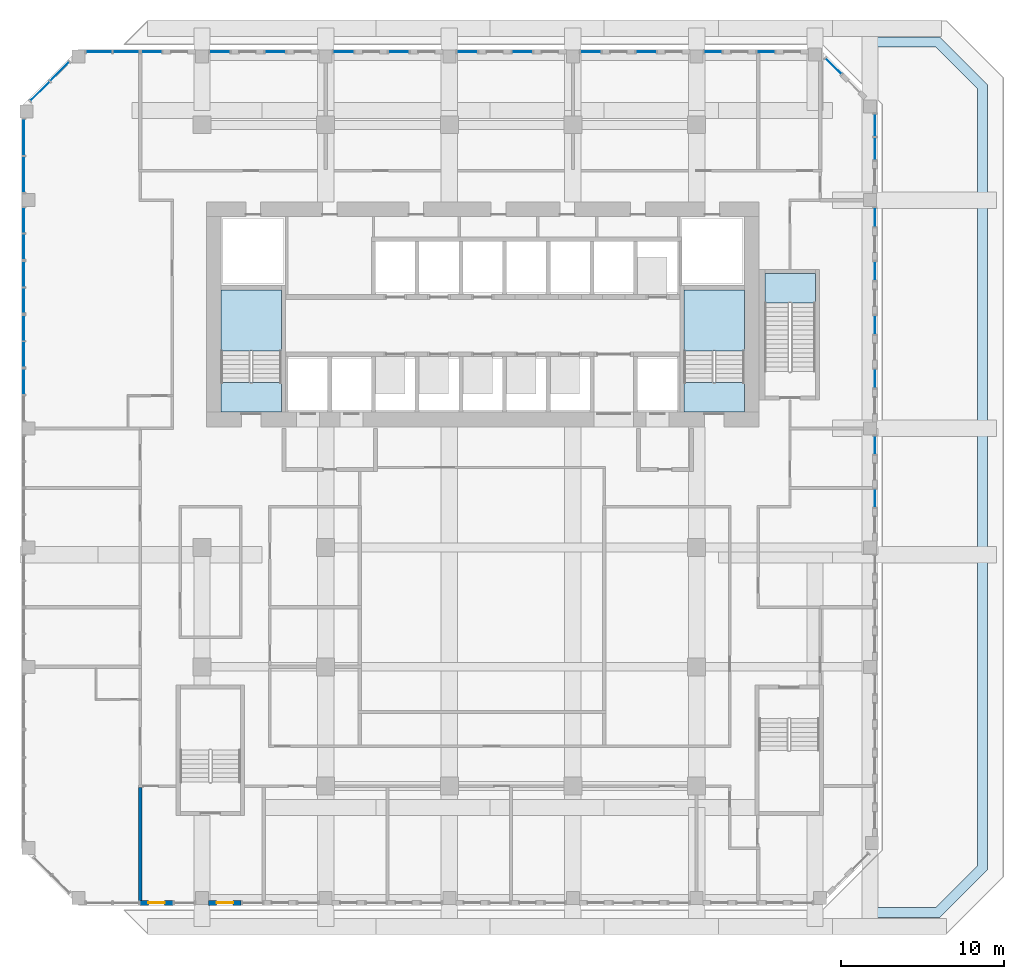
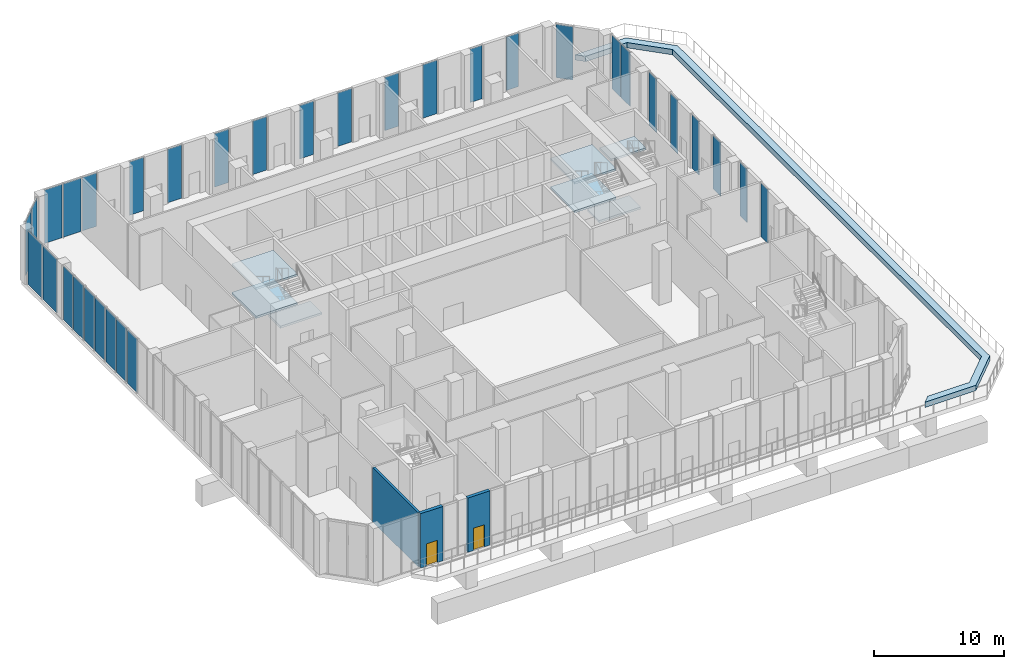
# One storey, part 8 of 19: 33 plates, 8 slabs, 3 walls, 2 doors, 2 openings, 29 elements without a shape of their own.
"""IFC4 building model written with IfcOpenShell, lengths in metres."""

from ifc_helpers import new_model, si_unit, direction, frame, frame_2d, origin, origin_2d, place, context, subcontext, project, spatial, polyline, rectangle, outline, extrude, source, transform, mapped, material, layer, layer_set, type_object, element, fill, aggregate, save


model = new_model("IFC4")

# Units and contexts
model_context = context("Model", 3, precision=1e-05, world=origin(), true_north=direction((0.0, 1.0)))
body_context = subcontext(model_context, "Body", "Model", "MODEL_VIEW")
ifc_project = project(units=[si_unit("LENGTHUNIT", "METRE"), si_unit("AREAUNIT", "SQUARE_METRE"), si_unit("VOLUMEUNIT", "CUBIC_METRE"), si_unit("PLANEANGLEUNIT", "RADIAN"), si_unit("MASSUNIT", "GRAM", prefix="KILO")], contexts=[model_context])

# Site, building, storey
site_placement = place(None, origin())
site = spatial("IfcSite", under=ifc_project, at=site_placement, CompositionType="ELEMENT")
building_placement = place(site_placement, origin())
building = spatial("IfcBuilding", under=site, at=building_placement, Name="Kilnfold Tower and Market Hall", CompositionType="ELEMENT")
storey_placement = place(building_placement, frame((0.0, 0.0, 138.5)))
storey = spatial("IfcBuildingStorey", under=building, at=storey_placement, Name="L31", CompositionType="ELEMENT", Elevation=138.5)

# Curtain wall, plate
ifc_material_1 = material(Name="Aluminium and double glazing", Category="aluminium")
curtain_wall_type = type_object("IfcCurtainWallType", Name="CW SKY LOBBY GLAZING", PredefinedType="NOTDEFINED", material=ifc_material_1)
curtain_wall_1_placement = place(storey_placement, origin())
curtain_wall_1 = element("IfcCurtainWall", 1, at=curtain_wall_1_placement, inside=storey, type_object=curtain_wall_type, Name="Curtain wall CW3 L31 N", PredefinedType="NOTDEFINED")
ifc_material_2 = material(Name="Double glazed unit")
ifc_layer_1 = layer(ifc_material_2, 0.035888671875)
ifc_layer_set_1 = layer_set([ifc_layer_1], Name="Double glazed unit")
plate_type = type_object("IfcPlateType", Name="GLAZING PANEL 36", PredefinedType="CURTAIN_PANEL", material=ifc_layer_set_1)
shared_shape_1 = source(origin(), body_context, "Body", "SweptSolid", [
    extrude(rectangle(XDim=1.231689453125, YDim=0.035888671875, at=origin_2d()), origin(), (0.0, 0.0, 1.0), 5.0400390625),
])
plate_1_placement = place(storey_placement, frame((11.07080078125, 31.10009765625, 0.0), z_axis=(0.0, 0.0, 1.0), x_axis=(-1.0, 0.0, 0.0)))
plate_1 = element("IfcPlate", 2, at=plate_1_placement, type_object=plate_type, Name="CW3 panel 1.1", PredefinedType="CURTAIN_PANEL", context=body_context, shape_type="MappedRepresentation", body=[
    mapped(shared_shape_1, transform((0.0, 0.0, 0.0))),
])
aggregate(curtain_wall_1, [plate_1])

curtain_wall_2_placement = place(storey_placement, origin())
curtain_wall_2 = element("IfcCurtainWall", 3, at=curtain_wall_2_placement, inside=storey, type_object=curtain_wall_type, Name="Curtain wall CW3 L31 N", PredefinedType="NOTDEFINED")
plate_2_placement = place(storey_placement, frame((7.67919921875, 31.10009765625, 0.0), z_axis=(0.0, 0.0, 1.0), x_axis=(-1.0, 0.0, 0.0)))
plate_2 = element("IfcPlate", 4, at=plate_2_placement, type_object=plate_type, Name="CW3 panel 1.1", PredefinedType="CURTAIN_PANEL", context=body_context, shape_type="MappedRepresentation", body=[
    mapped(shared_shape_1, transform((0.0, 0.0, 0.0))),
])
aggregate(curtain_wall_2, [plate_2])

curtain_wall_3_placement = place(storey_placement, origin())
curtain_wall_3 = element("IfcCurtainWall", 5, at=curtain_wall_3_placement, inside=storey, type_object=curtain_wall_type, Name="Curtain wall CW3 L31 N", PredefinedType="NOTDEFINED")
plate_3_placement = place(storey_placement, frame((3.487548828125, 31.10009765625, 0.0), z_axis=(0.0, 0.0, 1.0), x_axis=(-1.0, 0.0, 0.0)))
plate_3 = element("IfcPlate", 6, at=plate_3_placement, type_object=plate_type, Name="CW3 panel 1.1", PredefinedType="CURTAIN_PANEL", context=body_context, shape_type="MappedRepresentation", body=[
    mapped(shared_shape_1, transform((0.0, 0.0, 0.0))),
])
aggregate(curtain_wall_3, [plate_3])

curtain_wall_4_placement = place(storey_placement, origin())
curtain_wall_4 = element("IfcCurtainWall", 7, at=curtain_wall_4_placement, inside=storey, type_object=curtain_wall_type, Name="Curtain wall CW3 L31 N", PredefinedType="NOTDEFINED")
plate_4_placement = place(storey_placement, frame((0.095703125, 31.10009765625, 0.0), z_axis=(0.0, 0.0, 1.0), x_axis=(-1.0, 0.0, 0.0)))
plate_4 = element("IfcPlate", 8, at=plate_4_placement, type_object=plate_type, Name="CW3 panel 1.1", PredefinedType="CURTAIN_PANEL", context=body_context, shape_type="MappedRepresentation", body=[
    mapped(shared_shape_1, transform((0.0, 0.0, 0.0))),
])
aggregate(curtain_wall_4, [plate_4])

curtain_wall_5_placement = place(storey_placement, origin())
curtain_wall_5 = element("IfcCurtainWall", 9, at=curtain_wall_5_placement, inside=storey, type_object=curtain_wall_type, Name="Curtain wall CW3 L31 N", PredefinedType="NOTDEFINED")
plate_5_placement = place(storey_placement, frame((-4.095703125, 31.10009765625, 0.0), z_axis=(0.0, 0.0, 1.0), x_axis=(-1.0, 0.0, 0.0)))
plate_5 = element("IfcPlate", 10, at=plate_5_placement, type_object=plate_type, Name="CW3 panel 1.1", PredefinedType="CURTAIN_PANEL", context=body_context, shape_type="MappedRepresentation", body=[
    mapped(shared_shape_1, transform((0.0, 0.0, 0.0))),
])
aggregate(curtain_wall_5, [plate_5])

curtain_wall_6_placement = place(storey_placement, origin())
curtain_wall_6 = element("IfcCurtainWall", 11, at=curtain_wall_6_placement, inside=storey, type_object=curtain_wall_type, Name="Curtain wall CW3 L31 N", PredefinedType="NOTDEFINED")
plate_6_placement = place(storey_placement, frame((-7.487548828125, 31.10009765625, 0.0), z_axis=(0.0, 0.0, 1.0), x_axis=(-1.0, 0.0, 0.0)))
plate_6 = element("IfcPlate", 12, at=plate_6_placement, type_object=plate_type, Name="CW3 panel 1.1", PredefinedType="CURTAIN_PANEL", context=body_context, shape_type="MappedRepresentation", body=[
    mapped(shared_shape_1, transform((0.0, 0.0, 0.0))),
])
aggregate(curtain_wall_6, [plate_6])

curtain_wall_7_placement = place(storey_placement, origin())
curtain_wall_7 = element("IfcCurtainWall", 13, at=curtain_wall_7_placement, inside=storey, type_object=curtain_wall_type, Name="Curtain wall CW3 L31 N", PredefinedType="NOTDEFINED")
plate_7_placement = place(storey_placement, frame((-11.67919921875, 31.10009765625, 0.0), z_axis=(0.0, 0.0, 1.0), x_axis=(-1.0, 0.0, 0.0)))
plate_7 = element("IfcPlate", 14, at=plate_7_placement, type_object=plate_type, Name="CW3 panel 1.1", PredefinedType="CURTAIN_PANEL", context=body_context, shape_type="MappedRepresentation", body=[
    mapped(shared_shape_1, transform((0.0, 0.0, 0.0))),
])
aggregate(curtain_wall_7, [plate_7])

curtain_wall_8_placement = place(storey_placement, origin())
curtain_wall_8 = element("IfcCurtainWall", 15, at=curtain_wall_8_placement, inside=storey, type_object=curtain_wall_type, Name="Curtain wall CW3 L31 N", PredefinedType="NOTDEFINED")
plate_8_placement = place(storey_placement, frame((-15.07080078125, 31.10009765625, 0.0), z_axis=(0.0, 0.0, 1.0), x_axis=(-1.0, 0.0, 0.0)))
plate_8 = element("IfcPlate", 16, at=plate_8_placement, type_object=plate_type, Name="CW3 panel 1.1", PredefinedType="CURTAIN_PANEL", context=body_context, shape_type="MappedRepresentation", body=[
    mapped(shared_shape_1, transform((0.0, 0.0, 0.0))),
])
aggregate(curtain_wall_8, [plate_8])

curtain_wall_9_placement = place(storey_placement, origin())
curtain_wall_9 = element("IfcCurtainWall", 17, at=curtain_wall_9_placement, inside=storey, type_object=curtain_wall_type, Name="Curtain wall CW3 L31 N", PredefinedType="NOTDEFINED")
plate_9_placement = place(storey_placement, frame((-19.262451171875, 31.10009765625, 0.0), z_axis=(0.0, 0.0, 1.0), x_axis=(-1.0, 0.0, 0.0)))
plate_9 = element("IfcPlate", 18, at=plate_9_placement, type_object=plate_type, Name="CW3 panel 1.1", PredefinedType="CURTAIN_PANEL", context=body_context, shape_type="MappedRepresentation", body=[
    mapped(shared_shape_1, transform((0.0, 0.0, 0.0))),
])
aggregate(curtain_wall_9, [plate_9])

curtain_wall_10_placement = place(storey_placement, origin())
curtain_wall_10 = element("IfcCurtainWall", 19, at=curtain_wall_10_placement, inside=storey, type_object=curtain_wall_type, Name="Curtain wall CW3 L31 NE", PredefinedType="NOTDEFINED")
shared_shape_2 = source(origin(), body_context, "Body", "SweptSolid", [
    extrude(rectangle(XDim=1.340087890625, YDim=0.035888671875, at=origin_2d()), origin(), (0.0, 0.0, 1.0), 5.0400390625),
])
plate_10_placement = place(storey_placement, frame((22.57421875, 30.213623046875, 0.0), z_axis=(0.0, 0.0, 1.0), x_axis=(-0.707106781187, 0.707106781187, 0.0)))
plate_10 = element("IfcPlate", 20, at=plate_10_placement, type_object=plate_type, Name="CW3 panel 1.1", PredefinedType="CURTAIN_PANEL", context=body_context, shape_type="MappedRepresentation", body=[
    mapped(shared_shape_2, transform((0.0, 0.0, 0.0))),
])
aggregate(curtain_wall_10, [plate_10])

curtain_wall_11_placement = place(storey_placement, origin())
curtain_wall_11 = element("IfcCurtainWall", 21, at=curtain_wall_11_placement, inside=storey, type_object=curtain_wall_type, Name="Curtain wall CW3 L31 E", PredefinedType="NOTDEFINED")
shared_shape_3 = source(origin(), body_context, "Body", "SweptSolid", [
    extrude(rectangle(XDim=1.09619140625, YDim=0.035888671875, at=origin_2d()), origin(), (0.0, 0.0, 1.0), 5.0400390625),
])
plate_11_placement = place(storey_placement, frame((25.10009765625, 3.715576171875, 0.0), z_axis=(0.0, 0.0, 1.0), x_axis=(0.0, 1.0, 0.0)))
plate_11 = element("IfcPlate", 22, at=plate_11_placement, type_object=plate_type, Name="CW3 panel 1.1", PredefinedType="CURTAIN_PANEL", context=body_context, shape_type="MappedRepresentation", body=[
    mapped(shared_shape_3, transform((0.0, 0.0, 0.0))),
])
aggregate(curtain_wall_11, [plate_11])

curtain_wall_12_placement = place(storey_placement, origin())
curtain_wall_12 = element("IfcCurtainWall", 23, at=curtain_wall_12_placement, inside=storey, type_object=curtain_wall_type, Name="Curtain wall CW3 L31 E", PredefinedType="NOTDEFINED")
plate_12_placement = place(storey_placement, frame((25.10009765625, 6.971923828125, 0.0), z_axis=(0.0, 0.0, 1.0), x_axis=(0.0, 1.0, 0.0)))
plate_12 = element("IfcPlate", 24, at=plate_12_placement, type_object=plate_type, Name="CW3 panel 1.1", PredefinedType="CURTAIN_PANEL", context=body_context, shape_type="MappedRepresentation", body=[
    mapped(shared_shape_3, transform((0.0, 0.0, 0.0))),
])
aggregate(curtain_wall_12, [plate_12])

curtain_wall_13_placement = place(storey_placement, origin())
curtain_wall_13 = element("IfcCurtainWall", 25, at=curtain_wall_13_placement, inside=storey, type_object=curtain_wall_type, Name="Curtain wall CW3 L31 E", PredefinedType="NOTDEFINED")
shared_shape_4 = source(origin(), body_context, "Body", "SweptSolid", [
    extrude(rectangle(XDim=1.139892578125, YDim=0.035888671875, at=origin_2d()), origin(), (0.0, 0.0, 1.0), 5.0400390625),
])
plate_13_placement = place(storey_placement, frame((25.10009765625, 11.050048828125, 0.0), z_axis=(0.0, 0.0, 1.0), x_axis=(0.0, 1.0, 0.0)))
plate_13 = element("IfcPlate", 26, at=plate_13_placement, type_object=plate_type, Name="CW3 panel 1.1", PredefinedType="CURTAIN_PANEL", context=body_context, shape_type="MappedRepresentation", body=[
    mapped(shared_shape_4, transform((0.0, 0.0, 0.0))),
])
aggregate(curtain_wall_13, [plate_13])

curtain_wall_14_placement = place(storey_placement, origin())
curtain_wall_14 = element("IfcCurtainWall", 27, at=curtain_wall_14_placement, inside=storey, type_object=curtain_wall_type, Name="Curtain wall CW3 L31 E", PredefinedType="NOTDEFINED")
plate_14_placement = place(storey_placement, frame((25.10009765625, 14.35009765625, 0.0), z_axis=(0.0, 0.0, 1.0), x_axis=(0.0, 1.0, 0.0)))
plate_14 = element("IfcPlate", 28, at=plate_14_placement, type_object=plate_type, Name="CW3 panel 1.1", PredefinedType="CURTAIN_PANEL", context=body_context, shape_type="MappedRepresentation", body=[
    mapped(shared_shape_4, transform((0.0, 0.0, 0.0))),
])
aggregate(curtain_wall_14, [plate_14])

curtain_wall_15_placement = place(storey_placement, origin())
curtain_wall_15 = element("IfcCurtainWall", 29, at=curtain_wall_15_placement, inside=storey, type_object=curtain_wall_type, Name="Curtain wall CW3 L31 E", PredefinedType="NOTDEFINED")
plate_15_placement = place(storey_placement, frame((25.10009765625, 17.64990234375, 0.0), z_axis=(0.0, 0.0, 1.0), x_axis=(0.0, 1.0, 0.0)))
plate_15 = element("IfcPlate", 30, at=plate_15_placement, type_object=plate_type, Name="CW3 panel 1.1", PredefinedType="CURTAIN_PANEL", context=body_context, shape_type="MappedRepresentation", body=[
    mapped(shared_shape_4, transform((0.0, 0.0, 0.0))),
])
aggregate(curtain_wall_15, [plate_15])

curtain_wall_16_placement = place(storey_placement, origin())
curtain_wall_16 = element("IfcCurtainWall", 31, at=curtain_wall_16_placement, inside=storey, type_object=curtain_wall_type, Name="Curtain wall CW3 L31 E", PredefinedType="NOTDEFINED")
plate_16_placement = place(storey_placement, frame((25.10009765625, 20.949951171875, 0.0), z_axis=(0.0, 0.0, 1.0), x_axis=(0.0, 1.0, 0.0)))
plate_16 = element("IfcPlate", 32, at=plate_16_placement, type_object=plate_type, Name="CW3 panel 1.1", PredefinedType="CURTAIN_PANEL", context=body_context, shape_type="MappedRepresentation", body=[
    mapped(shared_shape_4, transform((0.0, 0.0, 0.0))),
])
aggregate(curtain_wall_16, [plate_16])

# Curtain wall, plates
curtain_wall_17_placement = place(storey_placement, origin())
curtain_wall_17 = element("IfcCurtainWall", 33, at=curtain_wall_17_placement, inside=storey, type_object=curtain_wall_type, Name="Curtain wall CW3 L31 E", PredefinedType="NOTDEFINED")
shared_shape_5 = source(origin(), body_context, "Body", "SweptSolid", [
    extrude(rectangle(XDim=1.35498046875, YDim=0.035888671875, at=origin_2d()), origin(), (0.0, 0.0, 1.0), 5.0400390625),
])
plate_17_placement = place(storey_placement, frame((25.10009765625, 25.157470703125, 0.0), z_axis=(0.0, 0.0, 1.0), x_axis=(0.0, 1.0, 0.0)))
plate_17 = element("IfcPlate", 34, at=plate_17_placement, type_object=plate_type, Name="CW3 panel 1.1", PredefinedType="CURTAIN_PANEL", context=body_context, shape_type="MappedRepresentation", body=[
    mapped(shared_shape_5, transform((0.0, 0.0, 0.0))),
])
plate_18_placement = place(storey_placement, frame((25.10009765625, 26.592529296875, 0.0), z_axis=(0.0, 0.0, 1.0), x_axis=(0.0, 1.0, 0.0)))
plate_18 = element("IfcPlate", 35, at=plate_18_placement, type_object=plate_type, Name="CW3 panel 2.1", PredefinedType="CURTAIN_PANEL", context=body_context, shape_type="MappedRepresentation", body=[
    mapped(shared_shape_5, transform((0.0, 0.0, 0.0))),
])
aggregate(curtain_wall_17, [plate_17, plate_18])

# Curtain wall, plate
curtain_wall_18_placement = place(storey_placement, origin())
curtain_wall_18 = element("IfcCurtainWall", 36, at=curtain_wall_18_placement, inside=storey, type_object=curtain_wall_type, Name="Curtain wall CW3 L31 N", PredefinedType="NOTDEFINED")
shared_shape_6 = source(origin(), body_context, "Body", "SweptSolid", [
    extrude(rectangle(XDim=1.072509765625, YDim=0.035888671875, at=origin_2d()), origin(), (0.0, 0.0, 1.0), 5.0400390625),
])
plate_19_placement = place(storey_placement, frame((18.41552734375, 31.10009765625, 0.0), z_axis=(0.0, 0.0, 1.0), x_axis=(-1.0, 0.0, 0.0)))
plate_19 = element("IfcPlate", 37, at=plate_19_placement, type_object=plate_type, Name="CW3 panel 1.1", PredefinedType="CURTAIN_PANEL", context=body_context, shape_type="MappedRepresentation", body=[
    mapped(shared_shape_6, transform((0.0, 0.0, 0.0))),
])
aggregate(curtain_wall_18, [plate_19])

curtain_wall_19_placement = place(storey_placement, origin())
curtain_wall_19 = element("IfcCurtainWall", 38, at=curtain_wall_19_placement, inside=storey, type_object=curtain_wall_type, Name="Curtain wall CW3 L31 N", PredefinedType="NOTDEFINED")
plate_20_placement = place(storey_placement, frame((15.18310546875, 31.10009765625, 0.0), z_axis=(0.0, 0.0, 1.0), x_axis=(-1.0, 0.0, 0.0)))
plate_20 = element("IfcPlate", 39, at=plate_20_placement, type_object=plate_type, Name="CW3 panel 1.1", PredefinedType="CURTAIN_PANEL", context=body_context, shape_type="MappedRepresentation", body=[
    mapped(shared_shape_6, transform((0.0, 0.0, 0.0))),
])
aggregate(curtain_wall_19, [plate_20])

# Curtain wall, plates
curtain_wall_20_placement = place(storey_placement, origin())
curtain_wall_20 = element("IfcCurtainWall", 40, at=curtain_wall_20_placement, inside=storey, type_object=curtain_wall_type, Name="Curtain wall CW3 L31 N", PredefinedType="NOTDEFINED")
shared_shape_7 = source(origin(), body_context, "Body", "SweptSolid", [
    extrude(rectangle(XDim=1.575927734375, YDim=0.035888671875, at=origin_2d()), origin(), (0.0, 0.0, 1.0), 5.0400390625),
])
plate_21_placement = place(storey_placement, frame((-20.826171875, 31.10009765625, 0.0), z_axis=(0.0, 0.0, 1.0), x_axis=(-1.0, 0.0, 0.0)))
plate_21 = element("IfcPlate", 41, at=plate_21_placement, type_object=plate_type, Name="CW3 panel 1.1", PredefinedType="CURTAIN_PANEL", context=body_context, shape_type="MappedRepresentation", body=[
    mapped(shared_shape_7, transform((0.0, 0.0, 0.0))),
])
plate_22_placement = place(storey_placement, frame((-22.482177734375, 31.10009765625, 0.0), z_axis=(0.0, 0.0, 1.0), x_axis=(-1.0, 0.0, 0.0)))
plate_22 = element("IfcPlate", 42, at=plate_22_placement, type_object=plate_type, Name="CW3 panel 2.1", PredefinedType="CURTAIN_PANEL", context=body_context, shape_type="MappedRepresentation", body=[
    mapped(shared_shape_7, transform((0.0, 0.0, 0.0))),
])
aggregate(curtain_wall_20, [plate_21, plate_22])

curtain_wall_21_placement = place(storey_placement, origin())
curtain_wall_21 = element("IfcCurtainWall", 43, at=curtain_wall_21_placement, inside=storey, type_object=curtain_wall_type, Name="Curtain wall CW3 L31 NW", PredefinedType="NOTDEFINED")
shared_shape_8 = source(origin(), body_context, "Body", "SweptSolid", [
    extrude(rectangle(XDim=1.630126953125, YDim=0.035888671875, at=origin_2d()), origin(), (0.0, 0.0, 1.0), 5.0400390625),
])
plate_23_placement = place(storey_placement, frame((-24.90185546875, 29.885986328125, 0.0), z_axis=(0.0, 0.0, 1.0), x_axis=(-0.707121065738, -0.707092496347, 0.0)))
plate_23 = element("IfcPlate", 44, at=plate_23_placement, type_object=plate_type, Name="CW3 panel 1.1", PredefinedType="CURTAIN_PANEL", context=body_context, shape_type="MappedRepresentation", body=[
    mapped(shared_shape_8, transform((0.0, 0.0, 0.0))),
])
plate_24_placement = place(storey_placement, frame((-26.111083984375, 28.6767578125, 0.0), z_axis=(0.0, 0.0, 1.0), x_axis=(-0.707121065738, -0.707092496347, 0.0)))
plate_24 = element("IfcPlate", 45, at=plate_24_placement, type_object=plate_type, Name="CW3 panel 2.1", PredefinedType="CURTAIN_PANEL", context=body_context, shape_type="MappedRepresentation", body=[
    mapped(shared_shape_8, transform((0.0, 0.0, 0.0))),
])
aggregate(curtain_wall_21, [plate_23, plate_24])

curtain_wall_22_placement = place(storey_placement, origin())
curtain_wall_22 = element("IfcCurtainWall", 46, at=curtain_wall_22_placement, inside=storey, type_object=curtain_wall_type, Name="Curtain wall CW3 L31 W", PredefinedType="NOTDEFINED")
shared_shape_9 = source(origin(), body_context, "Body", "SweptSolid", [
    extrude(rectangle(XDim=2.19580078125, YDim=0.035888671875, at=origin_2d()), origin(), (0.0, 0.0, 1.0), 5.0400390625),
])
plate_25_placement = place(storey_placement, frame((-27.10009765625, 25.853759765625, 0.0), z_axis=(0.0, 0.0, 1.0), x_axis=(0.0, -1.0, 0.0)))
plate_25 = element("IfcPlate", 47, at=plate_25_placement, type_object=plate_type, Name="CW3 panel 1.1", PredefinedType="CURTAIN_PANEL", context=body_context, shape_type="MappedRepresentation", body=[
    mapped(shared_shape_9, transform((0.0, 0.0, 0.0))),
])
plate_26_placement = place(storey_placement, frame((-27.10009765625, 23.577880859375, 0.0), z_axis=(0.0, 0.0, 1.0), x_axis=(0.0, -1.0, 0.0)))
plate_26 = element("IfcPlate", 48, at=plate_26_placement, type_object=plate_type, Name="CW3 panel 2.1", PredefinedType="CURTAIN_PANEL", context=body_context, shape_type="MappedRepresentation", body=[
    mapped(shared_shape_9, transform((0.0, 0.0, 0.0))),
])
aggregate(curtain_wall_22, [plate_25, plate_26])

curtain_wall_23_placement = place(storey_placement, origin())
curtain_wall_23 = element("IfcCurtainWall", 49, at=curtain_wall_23_placement, inside=storey, type_object=curtain_wall_type, Name="Curtain wall CW3 L31 W", PredefinedType="NOTDEFINED")
shared_shape_10 = source(origin(), body_context, "Body", "SweptSolid", [
    extrude(rectangle(XDim=1.530029296875, YDim=0.035888671875, at=origin_2d()), origin(), (0.0, 0.0, 1.0), 5.0400390625),
])
plate_27_placement = place(storey_placement, frame((-27.10009765625, 20.7548828125, 0.0), z_axis=(0.0, 0.0, 1.0), x_axis=(0.0, -1.0, 0.0)))
plate_27 = element("IfcPlate", 50, at=plate_27_placement, type_object=plate_type, Name="CW3 panel 1.1", PredefinedType="CURTAIN_PANEL", context=body_context, shape_type="MappedRepresentation", body=[
    mapped(shared_shape_10, transform((0.0, 0.0, 0.0))),
])
plate_28_placement = place(storey_placement, frame((-27.10009765625, 19.14501953125, 0.0), z_axis=(0.0, 0.0, 1.0), x_axis=(0.0, -1.0, 0.0)))
plate_28 = element("IfcPlate", 51, at=plate_28_placement, type_object=plate_type, Name="CW3 panel 2.1", PredefinedType="CURTAIN_PANEL", context=body_context, shape_type="MappedRepresentation", body=[
    mapped(shared_shape_10, transform((0.0, 0.0, 0.0))),
])
aggregate(curtain_wall_23, [plate_27, plate_28])

curtain_wall_24_placement = place(storey_placement, origin())
curtain_wall_24 = element("IfcCurtainWall", 52, at=curtain_wall_24_placement, inside=storey, type_object=curtain_wall_type, Name="Curtain wall CW3 L31 W", PredefinedType="NOTDEFINED")
plate_29_placement = place(storey_placement, frame((-27.10009765625, 17.455078125, 0.0), z_axis=(0.0, 0.0, 1.0), x_axis=(0.0, -1.0, 0.0)))
plate_29 = element("IfcPlate", 53, at=plate_29_placement, type_object=plate_type, Name="CW3 panel 1.1", PredefinedType="CURTAIN_PANEL", context=body_context, shape_type="MappedRepresentation", body=[
    mapped(shared_shape_10, transform((0.0, 0.0, 0.0))),
])
plate_30_placement = place(storey_placement, frame((-27.10009765625, 15.844970703125, 0.0), z_axis=(0.0, 0.0, 1.0), x_axis=(0.0, -1.0, 0.0)))
plate_30 = element("IfcPlate", 54, at=plate_30_placement, type_object=plate_type, Name="CW3 panel 2.1", PredefinedType="CURTAIN_PANEL", context=body_context, shape_type="MappedRepresentation", body=[
    mapped(shared_shape_10, transform((0.0, 0.0, 0.0))),
])
aggregate(curtain_wall_24, [plate_29, plate_30])

curtain_wall_25_placement = place(storey_placement, origin())
curtain_wall_25 = element("IfcCurtainWall", 55, at=curtain_wall_25_placement, inside=storey, type_object=curtain_wall_type, Name="Curtain wall CW3 L31 W", PredefinedType="NOTDEFINED")
plate_31_placement = place(storey_placement, frame((-27.10009765625, 14.155029296875, 0.0), z_axis=(0.0, 0.0, 1.0), x_axis=(0.0, -1.0, 0.0)))
plate_31 = element("IfcPlate", 56, at=plate_31_placement, type_object=plate_type, Name="CW3 panel 1.1", PredefinedType="CURTAIN_PANEL", context=body_context, shape_type="MappedRepresentation", body=[
    mapped(shared_shape_10, transform((0.0, 0.0, 0.0))),
])
plate_32_placement = place(storey_placement, frame((-27.10009765625, 12.544921875, 0.0), z_axis=(0.0, 0.0, 1.0), x_axis=(0.0, -1.0, 0.0)))
plate_32 = element("IfcPlate", 57, at=plate_32_placement, type_object=plate_type, Name="CW3 panel 2.1", PredefinedType="CURTAIN_PANEL", context=body_context, shape_type="MappedRepresentation", body=[
    mapped(shared_shape_10, transform((0.0, 0.0, 0.0))),
])
aggregate(curtain_wall_25, [plate_31, plate_32])

# Curtain wall, plate
curtain_wall_26_placement = place(storey_placement, origin())
curtain_wall_26 = element("IfcCurtainWall", 58, at=curtain_wall_26_placement, inside=storey, type_object=curtain_wall_type, Name="Curtain wall CW3 L31 W", PredefinedType="NOTDEFINED")
plate_33_placement = place(storey_placement, frame((-27.10009765625, 10.85498046875, 0.0), z_axis=(0.0, 0.0, 1.0), x_axis=(0.0, -1.0, 0.0)))
plate_33 = element("IfcPlate", 59, at=plate_33_placement, type_object=plate_type, Name="CW3 panel 1.1", PredefinedType="CURTAIN_PANEL", context=body_context, shape_type="MappedRepresentation", body=[
    mapped(shared_shape_10, transform((0.0, 0.0, 0.0))),
])
aggregate(curtain_wall_26, [plate_33])

# Slab
ifc_material_3 = material(Name="Concrete C40/50", Category="concrete")
ifc_layer_2 = layer(ifc_material_3, 0.5)
ifc_layer_set_2 = layer_set([ifc_layer_2], Name="Concrete C40/50")
slab_type_1 = type_object("IfcSlabType", Name="PLANTER BED 500", PredefinedType="ROOF", material=ifc_layer_set_2)
shared_shape_11 = source(origin(), body_context, "Body", "SweptSolid", [
    extrude(outline(polyline([(32.0, 29.085693359375), (32.0, -19.085693359375), (29.085693359375, -22.0), (24.535400390625, -22.0), (25.135498046875, -21.39990234375), (28.83740234375, -21.39990234375), (31.39990234375, -18.83740234375), (31.39990234375, 28.83740234375), (28.83740234375, 31.39990234375), (25.135498046875, 31.39990234375), (24.535400390625, 32.0), (29.085693359375, 32.0), (32.0, 29.085693359375)])), origin(), (0.0, 0.0, 1.0), 0.5),
])
slab_1_placement = place(storey_placement, origin())
element("IfcSlab", 60, at=slab_1_placement, inside=storey, type_object=slab_type_1, Name="Planter bed L31 1.1", PredefinedType="ROOF", context=body_context, shape_type="MappedRepresentation", body=[
    mapped(shared_shape_11, transform((0.0, 0.0, 0.0))),
])

# Stair, slabs
ifc_material_4 = material(Name="Concrete C40/50", Category="concrete")
stair_type_1 = type_object("IfcStairType", Name="CORE STAIR 1800", PredefinedType="HALF_TURN_STAIR", material=ifc_material_4)
stair_1_placement = place(storey_placement, origin())
stair_1 = element("IfcStair", 61, at=stair_1_placement, inside=storey, type_object=stair_type_1, Name="L31 ST1", PredefinedType="HALF_TURN_STAIR")
ifc_material_5 = material(Name="Concrete C40/50", Category="concrete")
ifc_layer_3 = layer(ifc_material_5, 0.199951171875)
ifc_layer_set_3 = layer_set([ifc_layer_3], Name="Concrete C40/50")
slab_type_2 = type_object("IfcSlabType", Name="CORE STAIR LANDING 200", PredefinedType="LANDING", material=ifc_layer_set_3)
shared_shape_12 = source(origin(), body_context, "Body", "SweptSolid", [
    extrude(outline(polyline([(-11.300048828125, 9.0), (-11.300048828125, 10.800048828125), (-15.0, 10.800048828125), (-15.0, 9.0), (-11.300048828125, 9.0)])), origin(), (0.0, 0.0, 1.0), 0.199951171875),
])
slab_2_placement = place(storey_placement, frame((0.0, 0.0, 2.5)))
slab_2 = element("IfcSlab", 62, at=slab_2_placement, type_object=slab_type_2, Name="ST1 landing 2", PredefinedType="LANDING", context=body_context, shape_type="MappedRepresentation", body=[
    mapped(shared_shape_12, transform((0.0, 0.0, 0.0))),
])
shared_shape_13 = source(origin(), body_context, "Body", "SweptSolid", [
    extrude(outline(polyline([(-11.300048828125, 12.760009765625), (-11.300048828125, 16.5), (-15.0, 16.5), (-15.0, 12.760009765625), (-11.300048828125, 12.760009765625)])), origin(), (0.0, 0.0, 1.0), 0.199951171875),
])
slab_3_placement = place(storey_placement, frame((0.0, 0.0, 3.85009765625)))
slab_3 = element("IfcSlab", 63, at=slab_3_placement, type_object=slab_type_2, Name="ST1 landing 3", PredefinedType="LANDING", context=body_context, shape_type="MappedRepresentation", body=[
    mapped(shared_shape_13, transform((0.0, 0.0, 0.0))),
])
shared_shape_14 = source(origin(), body_context, "Body", "SweptSolid", [
    extrude(outline(polyline([(-11.300048828125, 12.760009765625), (-11.300048828125, 16.5), (-15.0, 16.5), (-15.0, 12.760009765625), (-11.300048828125, 12.760009765625)])), origin(), (0.0, 0.0, 1.0), 0.2001953125),
])
slab_4_placement = place(storey_placement, frame((0.0, 0.0, 1.14990234375)))
slab_4 = element("IfcSlab", 64, at=slab_4_placement, type_object=slab_type_2, Name="ST1 landing 1", PredefinedType="LANDING", context=body_context, shape_type="MappedRepresentation", body=[
    mapped(shared_shape_14, transform((0.0, 0.0, 0.0))),
])
aggregate(stair_1, [slab_4, slab_2, slab_3])

stair_2_placement = place(storey_placement, origin())
stair_2 = element("IfcStair", 65, at=stair_2_placement, inside=storey, type_object=stair_type_1, Name="L31 ST2", PredefinedType="HALF_TURN_STAIR")
shared_shape_15 = source(origin(), body_context, "Body", "SweptSolid", [
    extrude(outline(polyline([(17.10009765625, 9.0), (17.10009765625, 10.800048828125), (13.39990234375, 10.800048828125), (13.39990234375, 9.0), (17.10009765625, 9.0)])), origin(), (0.0, 0.0, 1.0), 0.199951171875),
])
slab_5_placement = place(storey_placement, frame((0.0, 0.0, 2.5)))
slab_5 = element("IfcSlab", 66, at=slab_5_placement, type_object=slab_type_2, Name="ST2 landing 2", PredefinedType="LANDING", context=body_context, shape_type="MappedRepresentation", body=[
    mapped(shared_shape_15, transform((0.0, 0.0, 0.0))),
])
shared_shape_16 = source(origin(), body_context, "Body", "SweptSolid", [
    extrude(outline(polyline([(17.10009765625, 12.760009765625), (17.10009765625, 16.5), (13.39990234375, 16.5), (13.39990234375, 12.760009765625), (17.10009765625, 12.760009765625)])), origin(), (0.0, 0.0, 1.0), 0.199951171875),
])
slab_6_placement = place(storey_placement, frame((0.0, 0.0, 3.85009765625)))
slab_6 = element("IfcSlab", 67, at=slab_6_placement, type_object=slab_type_2, Name="ST2 landing 3", PredefinedType="LANDING", context=body_context, shape_type="MappedRepresentation", body=[
    mapped(shared_shape_16, transform((0.0, 0.0, 0.0))),
])
shared_shape_17 = source(origin(), body_context, "Body", "SweptSolid", [
    extrude(outline(polyline([(17.10009765625, 12.760009765625), (17.10009765625, 16.5), (13.39990234375, 16.5), (13.39990234375, 12.760009765625), (17.10009765625, 12.760009765625)])), origin(), (0.0, 0.0, 1.0), 0.2001953125),
])
slab_7_placement = place(storey_placement, frame((0.0, 0.0, 1.14990234375)))
slab_7 = element("IfcSlab", 68, at=slab_7_placement, type_object=slab_type_2, Name="ST2 landing 1", PredefinedType="LANDING", context=body_context, shape_type="MappedRepresentation", body=[
    mapped(shared_shape_17, transform((0.0, 0.0, 0.0))),
])
aggregate(stair_2, [slab_7, slab_5, slab_6])

# Stair, slab
ifc_material_6 = material(Name="Concrete C40/50", Category="concrete")
stair_type_2 = type_object("IfcStairType", Name="CORE STAIR 1500", PredefinedType="HALF_TURN_STAIR", material=ifc_material_6)
stair_3_placement = place(storey_placement, origin())
stair_3 = element("IfcStair", 69, at=stair_3_placement, inside=storey, type_object=stair_type_2, Name="L31 ST5", PredefinedType="HALF_TURN_STAIR")
shared_shape_18 = source(origin(), body_context, "Body", "SweptSolid", [
    extrude(outline(polyline([(21.449951171875, 15.699951171875), (21.449951171875, 17.5), (18.35009765625, 17.5), (18.35009765625, 15.699951171875), (21.449951171875, 15.699951171875)])), origin(), (0.0, 0.0, 1.0), 0.199951171875),
])
slab_8_placement = place(storey_placement, frame((0.0, 0.0, 2.5)))
slab_8 = element("IfcSlab", 70, at=slab_8_placement, type_object=slab_type_2, Name="ST5 landing 1", PredefinedType="LANDING", context=body_context, shape_type="MappedRepresentation", body=[
    mapped(shared_shape_18, transform((0.0, 0.0, 0.0))),
])
aggregate(stair_3, [slab_8])

# Wall
ifc_material_7 = material(Name="Gypsum board on steel studs", Category="steel")
ifc_layer_4 = layer(ifc_material_7, 0.199951171875)
ifc_layer_set_4 = layer_set([ifc_layer_4], Name="Gypsum board on steel studs")
wall_type_1 = type_object("IfcWallType", Name="WALL PARTY 200", PredefinedType="PARTITIONING", material=ifc_layer_set_4)
wall_1_placement = place(storey_placement, frame((-19.958984375, -21.0, 0.0), z_axis=(0.0, 0.0, 1.0), x_axis=(0.0, 1.0, 0.0)))
element("IfcWall", 71, at=wall_1_placement, inside=storey, type_object=wall_type_1, Name="Partition LY20.46", PredefinedType="PARTITIONING", context=body_context, shape_type="SweptSolid", body=[
    extrude(rectangle(XDim=6.985107421875, YDim=0.199951171875, at=frame_2d((3.49267578125, 0.0))), origin(), (0.0, 0.0, 1.0), 5.1201171875),
])

# Wall, opening, door
ifc_material_8 = material(Name="Precast concrete C50/60", Category="concrete")
ifc_layer_5 = layer(ifc_material_8, 0.300048828125)
ifc_layer_set_5 = layer_set([ifc_layer_5], Name="Precast concrete C50/60")
wall_type_2 = type_object("IfcWallType", Name="PRECAST WALL 300", PredefinedType="SOLIDWALL", material=ifc_layer_set_5)
shared_shape_19 = source(origin(), body_context, "Body", "SweptSolid", [
    extrude(rectangle(XDim=2.0, YDim=0.300048828125, at=frame_2d((1.0, 0.0))), origin(), (0.0, 0.0, 1.0), 5.1201171875),
])
wall_2_placement = place(storey_placement, frame((-19.95849609375, -21.10009765625, 0.0), z_axis=(0.0, 0.0, 1.0), x_axis=(1.0, 0.0, 0.0)))
wall_2 = element("IfcWall", 72, at=wall_2_placement, inside=storey, type_object=wall_type_2, Name="External wall L31 S", PredefinedType="SOLIDWALL", context=body_context, shape_type="MappedRepresentation", body=[
    mapped(shared_shape_19, transform((0.0, 0.0, 0.0))),
])
opening_1_placement = place(wall_2_placement, frame((0.5, 0.0, 0.0)))
opening_1 = element("IfcOpeningElement", 73, at=opening_1_placement, cuts=wall_2, Name="Opening BD1", PredefinedType="OPENING", context=body_context, shape_type="SweptSolid", body=[
    extrude(rectangle(XDim=1.0, YDim=2.10009765625, at=frame_2d((0.5, 1.050048828125))), frame((0.0, 0.16015625, 0.0), z_axis=(0.0, -1.0, 0.0), x_axis=(1.0, 0.0, 0.0)), (0.0, 0.0, 1.0), 0.320068359375),
])
ifc_material_9 = material(Name="Aluminium frame and double glazing", Category="aluminium")
door_type = type_object("IfcDoorType", Name="BALCONY DOOR 1000X2100", OperationType="NOTDEFINED", PredefinedType="DOOR", material=ifc_material_9)
door_1_placement = place(opening_1_placement, origin())
door_1 = element("IfcDoor", 74, at=door_1_placement, inside=storey, type_object=door_type, Name="Balcony door BD1 L31 S-2", OperationType="SINGLE_SWING_RIGHT", OverallHeight=2.10009765625, OverallWidth=1.0, PredefinedType="DOOR", context=body_context, shape_type="SweptSolid", body=[
    extrude(rectangle(XDim=1.0, YDim=2.10009765625, at=frame_2d((0.5, 1.050048828125))), frame((0.0, 0.02490234375, 0.0), z_axis=(0.0, -1.0, 0.0), x_axis=(1.0, 0.0, 0.0)), (0.0, 0.0, 1.0), 0.050048828125),
])
fill(opening_1, door_1)

wall_3_placement = place(storey_placement, frame((-15.7666015625, -21.10009765625, 0.0), z_axis=(0.0, 0.0, 1.0), x_axis=(1.0, 0.0, 0.0)))
wall_3 = element("IfcWall", 75, at=wall_3_placement, inside=storey, type_object=wall_type_2, Name="External wall L31 S", PredefinedType="SOLIDWALL", context=body_context, shape_type="MappedRepresentation", body=[
    mapped(shared_shape_19, transform((0.0, 0.0, 0.0))),
])
opening_2_placement = place(wall_3_placement, frame((0.5, 0.0, 0.0)))
opening_2 = element("IfcOpeningElement", 76, at=opening_2_placement, cuts=wall_3, Name="Opening BD1", PredefinedType="OPENING", context=body_context, shape_type="SweptSolid", body=[
    extrude(rectangle(XDim=1.0, YDim=2.10009765625, at=frame_2d((0.5, 1.050048828125))), frame((0.0, 0.16015625, 0.0), z_axis=(0.0, -1.0, 0.0), x_axis=(1.0, 0.0, 0.0)), (0.0, 0.0, 1.0), 0.320068359375),
])
door_2_placement = place(opening_2_placement, origin())
door_2 = element("IfcDoor", 77, at=door_2_placement, inside=storey, type_object=door_type, Name="Balcony door BD1 L31 S-1", OperationType="SINGLE_SWING_LEFT", OverallHeight=2.10009765625, OverallWidth=1.0, PredefinedType="DOOR", context=body_context, shape_type="SweptSolid", body=[
    extrude(rectangle(XDim=1.0, YDim=2.10009765625, at=frame_2d((0.5, 1.050048828125))), frame((0.0, 0.02490234375, 0.0), z_axis=(0.0, -1.0, 0.0), x_axis=(1.0, 0.0, 0.0)), (0.0, 0.0, 1.0), 0.050048828125),
])
fill(opening_2, door_2)

save(model, "model.ifc")
